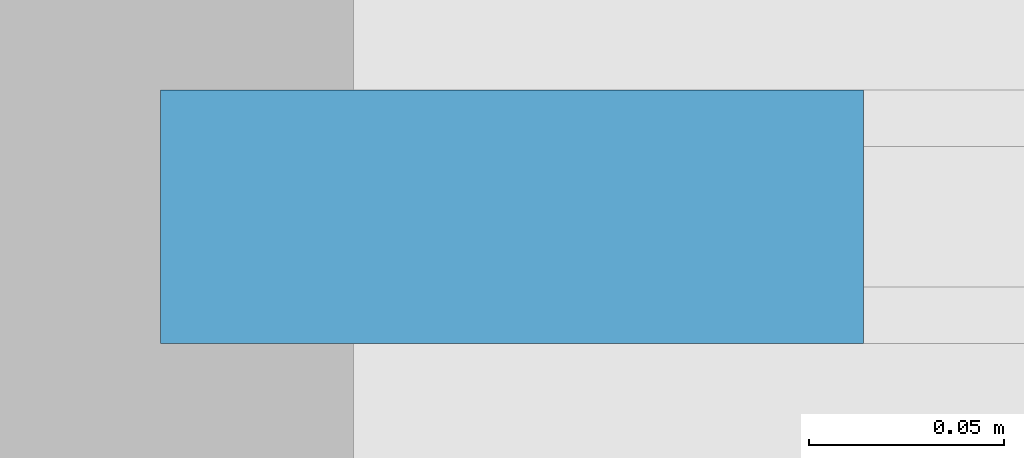
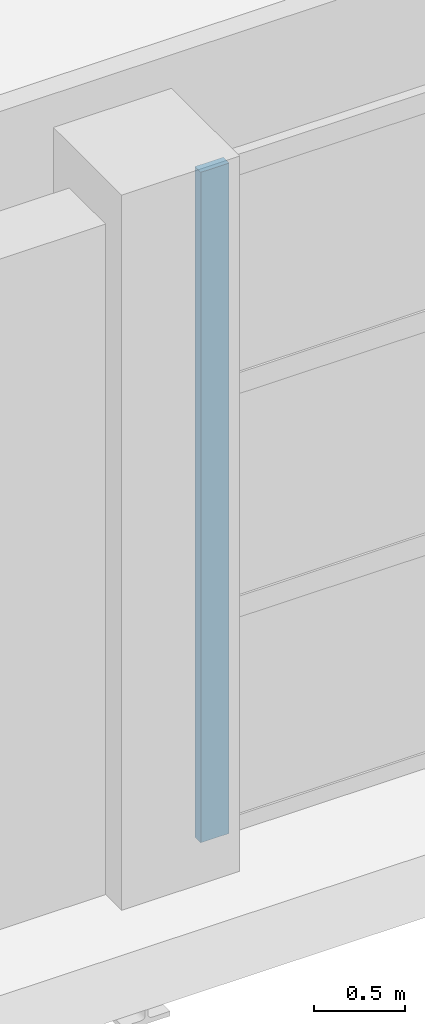
# One storey, part 11 of 121: 1 member, 1 element without a shape of its own.
"""IFC4 building model written with IfcOpenShell, lengths in metres."""

from ifc_helpers import new_model, si_unit, direction, frame, origin, origin_2d, place, context, subcontext, project, spatial, rectangle, extrude, material, layer, layer_set, material_profile, profile_set, type_object, element, aggregate, save


model = new_model("IFC4")

# Units and contexts
model_context = context("Model", 3, precision=1e-05, world=origin(), true_north=direction((0.0, 1.0)))
body_context = subcontext(model_context, "Body", "Model", "MODEL_VIEW")
ifc_project = project(units=[si_unit("LENGTHUNIT", "METRE"), si_unit("AREAUNIT", "SQUARE_METRE"), si_unit("VOLUMEUNIT", "CUBIC_METRE"), si_unit("PLANEANGLEUNIT", "RADIAN"), si_unit("MASSUNIT", "GRAM", prefix="KILO")], contexts=[model_context])

# Site, building, storey
site_placement = place(None, origin())
site = spatial("IfcSite", under=ifc_project, at=site_placement, CompositionType="ELEMENT")
building_placement = place(site_placement, origin())
building = spatial("IfcBuilding", under=site, at=building_placement, Name="Zereglee Splitstone Museum", CompositionType="ELEMENT")
storey_placement = place(building_placement, origin())
storey = spatial("IfcBuildingStorey", under=building, at=storey_placement, Name="L00", CompositionType="ELEMENT", Elevation=0.0)

# Curtain wall, member
ifc_material_1 = material(Name="Triple-glazed low-E argon glass and bronze-anodised aluminium", Category="aluminium")
ifc_layer = layer(ifc_material_1, 0.179931640625)
ifc_layer_set = layer_set([ifc_layer], Name="Triple-glazed low-E argon glass and bronze-anodised aluminium")
curtain_wall_type = type_object("IfcCurtainWallType", Name="CW-0451-450", PredefinedType="USERDEFINED", material=ifc_layer_set)
curtain_wall_placement = place(storey_placement, origin())
curtain_wall = element("IfcCurtainWall", 1, at=curtain_wall_placement, inside=storey, type_object=curtain_wall_type, Name="Glazed Curtain Wall CW-0451-450 (L00)", ObjectType="GLAZED CURTAIN WALL", PredefinedType="USERDEFINED")
ifc_material_2 = material(Name="Thermally broken bronze-anodised aluminium", Category="aluminium")
ifc_material_profile = material_profile(ifc_material_2, rectangle(XDim=0.06494140625, YDim=0.179931640625, at=origin_2d()), Name="CW MULL 65x180")
ifc_profile_set = profile_set([ifc_material_profile], Name="Thermally broken bronze-anodised aluminium")
member_type = type_object("IfcMemberType", Name="CWM-01", PredefinedType="MULLION", material=ifc_profile_set)
member_placement = place(storey_placement, frame((68.41552734375, 30.0, 0.0), z_axis=(0.0, 0.0, 1.0), x_axis=(0.0, 1.0, 0.0)))
member = element("IfcMember", 2, at=member_placement, type_object=member_type, Name="CW-0451-450 mullion 1", PredefinedType="MULLION", context=body_context, shape_type="SweptSolid", body=[
    extrude(rectangle(XDim=0.06494140625, YDim=0.179931640625, at=origin_2d()), origin(), (0.0, 0.0, 1.0), 4.5),
])
aggregate(curtain_wall, [member])

save(model, "model.ifc")
